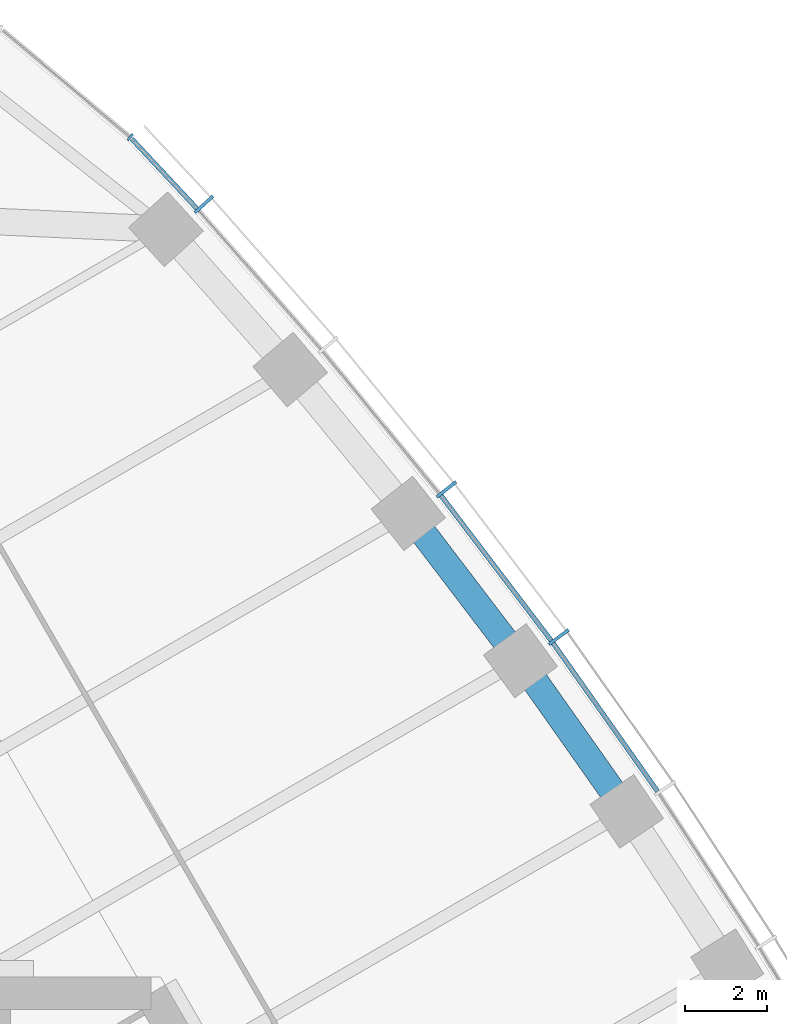
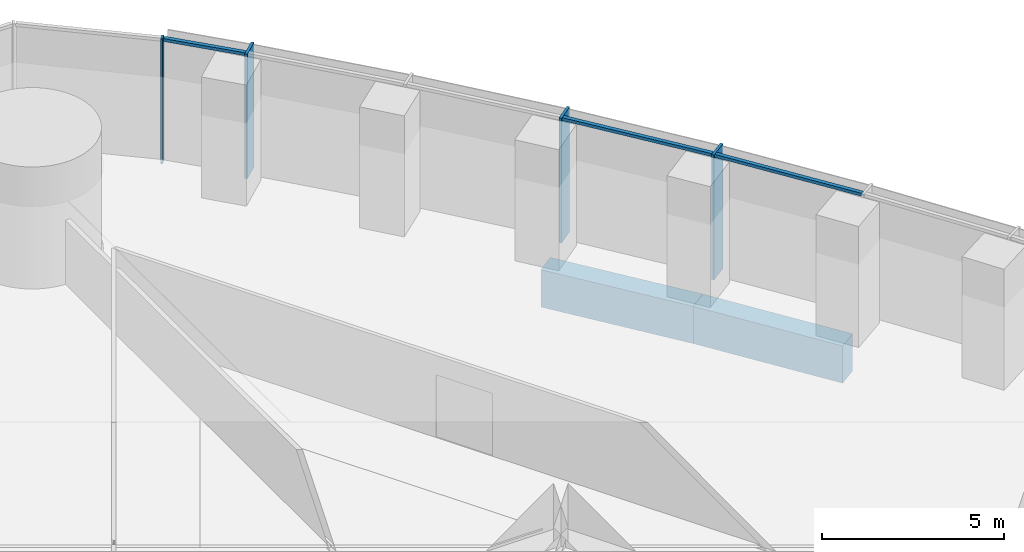
# One storey, part 7 of 19: 7 members, 2 beams, 2 elements without a shape of their own.
"""IFC4 building model written with IfcOpenShell, lengths in metres."""

from ifc_helpers import new_model, si_unit, direction, frame, origin, origin_2d, place, context, subcontext, project, spatial, rectangle, extrude, material, material_profile, profile_set, type_object, element, aggregate, save


model = new_model("IFC4")

# Units and contexts
model_context = context("Model", 3, precision=1e-05, world=origin(), true_north=direction((0.0, 1.0)))
body_context = subcontext(model_context, "Body", "Model", "MODEL_VIEW")
ifc_project = project(units=[si_unit("LENGTHUNIT", "METRE"), si_unit("AREAUNIT", "SQUARE_METRE"), si_unit("VOLUMEUNIT", "CUBIC_METRE"), si_unit("PLANEANGLEUNIT", "RADIAN"), si_unit("MASSUNIT", "GRAM", prefix="KILO")], contexts=[model_context])

# Site, building, storey
site_placement = place(None, origin())
site = spatial("IfcSite", under=ifc_project, at=site_placement, CompositionType="ELEMENT")
building_placement = place(site_placement, origin())
building = spatial("IfcBuilding", under=site, at=building_placement, Name="Trefoil Bronze Tower", CompositionType="ELEMENT")
storey_placement = place(building_placement, frame((0.0, 0.0, 128.300048828125)))
storey = spatial("IfcBuildingStorey", under=building, at=storey_placement, Name="L29", CompositionType="ELEMENT", Elevation=128.300048828125)

# Curtain wall, members
ifc_material_1 = material(Name="Tinted solar-control glass", Category="glass")
curtain_wall_type_1 = type_object("IfcCurtainWallType", Name="Bronze office curtain wall", PredefinedType="USERDEFINED", material=ifc_material_1)
curtain_wall_1_placement = place(storey_placement, origin())
curtain_wall_1 = element("IfcCurtainWall", 1, at=curtain_wall_1_placement, inside=storey, type_object=curtain_wall_type_1, Name="CW-A L29 F2", ObjectType="CURTAIN WALL", PredefinedType="USERDEFINED")
ifc_material_2 = material(Name="Bronze-finish aluminium", Category="aluminium")
ifc_material_profile_1 = material_profile(ifc_material_2, rectangle(XDim=0.60009765625, YDim=0.080078125, at=origin_2d()), Name="CW-A mullion")
ifc_profile_set_1 = profile_set([ifc_material_profile_1], Name="Bronze-finish aluminium")
member_type_1 = type_object("IfcMemberType", Name="Bronze office curtain wall mullion", PredefinedType="MULLION", material=ifc_profile_set_1)
member_1_placement = place(storey_placement, frame((15.764404296875, 24.7275390625, 0.0), z_axis=(0.0, 0.0, 1.0), x_axis=(-0.806874522901, -0.590722865897, 0.0)))
member_1 = element("IfcMember", 2, at=member_1_placement, type_object=member_type_1, Name="CW-A L29 F2 mullion 11", PredefinedType="MULLION", context=body_context, shape_type="SweptSolid", body=[
    extrude(rectangle(XDim=0.60009765625, YDim=0.080078125, at=origin_2d()), origin(), (0.0, 0.0, 1.0), 4.179931640625),
])
member_2_placement = place(storey_placement, frame((13.01220703125, 28.34716796875, 0.0), z_axis=(0.0, 0.0, 1.0), x_axis=(-0.78487913905, -0.619648882098, 0.0)))
member_2 = element("IfcMember", 3, at=member_2_placement, type_object=member_type_1, Name="CW-A L29 F2 mullion 12", PredefinedType="MULLION", context=body_context, shape_type="SweptSolid", body=[
    extrude(rectangle(XDim=0.60009765625, YDim=0.080078125, at=origin_2d()), origin(), (0.0, 0.0, 1.0), 4.179931640625),
])
member_3_placement = place(storey_placement, frame((7.070068359375, 35.332275390625, 0.0), z_axis=(0.0, 0.0, 1.0), x_axis=(-0.740360700327, -0.672209813534, 0.0)))
member_3 = element("IfcMember", 4, at=member_3_placement, type_object=member_type_1, Name="CW-A L29 F2 mullion 14", PredefinedType="MULLION", context=body_context, shape_type="SweptSolid", body=[
    extrude(rectangle(XDim=0.60009765625, YDim=0.080078125, at=origin_2d()), origin(), (0.0, 0.0, 1.0), 4.179931640625),
])
ifc_material_3 = material(Name="Bronze-finish aluminium", Category="aluminium")
ifc_material_profile_2 = material_profile(ifc_material_3, rectangle(XDim=0.1201171875, YDim=0.10009765625, at=origin_2d()), Name="CW-A transom")
ifc_profile_set_2 = profile_set([ifc_material_profile_2], Name="Bronze-finish aluminium")
member_type_2 = type_object("IfcMemberType", Name="Bronze office curtain wall transom", PredefinedType="USERDEFINED", material=ifc_profile_set_2)
member_4_placement = place(storey_placement, frame((18.18359375, 20.947021484375, 4.1298828125), z_axis=(-0.576017858824, 0.817437108478, 0.0), x_axis=(-0.817437108478, -0.576017858824, 0.0)))
member_4 = element("IfcMember", 5, at=member_4_placement, type_object=member_type_2, Name="CW-A L29 F2 transom 10", ObjectType="TRANSOM", PredefinedType="USERDEFINED", context=body_context, shape_type="SweptSolid", body=[
    extrude(rectangle(XDim=0.1201171875, YDim=0.10009765625, at=origin_2d()), origin(), (0.0, 0.0, 1.0), 4.4384765625),
])
member_5_placement = place(storey_placement, frame((15.57763671875, 24.642578125, 4.1298828125), z_axis=(-0.605229114572, 0.796051329296, 0.0), x_axis=(-0.796051329296, -0.605229114572, 0.0)))
member_5 = element("IfcMember", 6, at=member_5_placement, type_object=member_type_2, Name="CW-A L29 F2 transom 11", ObjectType="TRANSOM", PredefinedType="USERDEFINED", context=body_context, shape_type="SweptSolid", body=[
    extrude(rectangle(XDim=0.1201171875, YDim=0.10009765625, at=origin_2d()), origin(), (0.0, 0.0, 1.0), 4.456298828125),
])
member_6_placement = place(storey_placement, frame((6.893798828125, 35.22802734375, 4.1298828125), z_axis=(-0.682489214428, 0.730895664366, 0.0), x_axis=(-0.730895664366, -0.682489214428, 0.0)))
member_6 = element("IfcMember", 7, at=member_6_placement, type_object=member_type_2, Name="CW-A L29 F2 transom 14", ObjectType="TRANSOM", PredefinedType="USERDEFINED", context=body_context, shape_type="SweptSolid", body=[
    extrude(rectangle(XDim=0.1201171875, YDim=0.10009765625, at=origin_2d()), origin(), (0.0, 0.0, 1.0), 2.340087890625),
])
aggregate(curtain_wall_1, [member_1, member_2, member_3, member_4, member_5, member_6])

# Curtain wall, member
ifc_material_4 = material(Name="Tinted solar-control glass", Category="glass")
curtain_wall_type_2 = type_object("IfcCurtainWallType", Name="Bronze rounded corner curtain wall", PredefinedType="USERDEFINED", material=ifc_material_4)
curtain_wall_2_placement = place(storey_placement, origin())
curtain_wall_2 = element("IfcCurtainWall", 8, at=curtain_wall_2_placement, inside=storey, type_object=curtain_wall_type_2, Name="CW-B L29 K2", ObjectType="CURTAIN WALL", PredefinedType="USERDEFINED")
ifc_material_5 = material(Name="Bronze-finish aluminium", Category="aluminium")
ifc_material_profile_3 = material_profile(ifc_material_5, rectangle(XDim=0.199951171875, YDim=0.06005859375, at=origin_2d()), Name="CW-B mullion")
ifc_profile_set_3 = profile_set([ifc_material_profile_3], Name="Bronze-finish aluminium")
member_type_3 = type_object("IfcMemberType", Name="Bronze rounded corner curtain wall mullion", PredefinedType="MULLION", material=ifc_profile_set_3)
member_7_placement = place(storey_placement, frame((5.260498046875, 36.975830078125, 0.0), z_axis=(0.0, 0.0, 1.0), x_axis=(-0.642787609687, -0.766044443119, 0.0)))
member_7 = element("IfcMember", 9, at=member_7_placement, type_object=member_type_3, Name="CW-B L29 K2 mullion 1", PredefinedType="MULLION", context=body_context, shape_type="SweptSolid", body=[
    extrude(rectangle(XDim=0.199951171875, YDim=0.06005859375, at=origin_2d()), origin(), (0.0, 0.0, 1.0), 4.179931640625),
])
aggregate(curtain_wall_2, [member_7])

# Beams
ifc_material_6 = material(Name="Concrete B80", Category="concrete")
ifc_material_profile_4 = material_profile(ifc_material_6, rectangle(XDim=0.64990234375, YDim=1.25, at=origin_2d()), Name="RC 650x1250")
ifc_profile_set_4 = profile_set([ifc_material_profile_4], Name="Concrete B80")
beam_type = type_object("IfcBeamType", Name="Spandrel beam RC 650x1250", PredefinedType="SPANDREL", material=ifc_profile_set_4)
beam_1_placement = place(storey_placement, frame((17.43017578125, 20.45556640625, -0.824951171875), z_axis=(-0.576439228712, 0.81714002203, 0.0), x_axis=(-0.81714002203, -0.576439228712, 0.0)))
element("IfcBeam", 10, at=beam_1_placement, inside=storey, type_object=beam_type, Name="Spandrel F2.10 L29", PredefinedType="SPANDREL", context=body_context, shape_type="SweptSolid", body=[
    extrude(rectangle(XDim=0.64990234375, YDim=1.25, at=origin_2d()), origin(), (0.0, 0.0, 1.0), 4.5185546875),
])
beam_2_placement = place(storey_placement, frame((14.825439453125, 24.14794921875, -0.824951171875), z_axis=(-0.605898901788, 0.795541652468, 0.0), x_axis=(-0.795541652468, -0.605898901788, 0.0)))
element("IfcBeam", 11, at=beam_2_placement, inside=storey, type_object=beam_type, Name="Spandrel F2.11 L29", PredefinedType="SPANDREL", context=body_context, shape_type="SweptSolid", body=[
    extrude(rectangle(XDim=0.64990234375, YDim=1.25, at=origin_2d()), origin(), (0.0, 0.0, 1.0), 4.53662109375),
])

save(model, "model.ifc")
